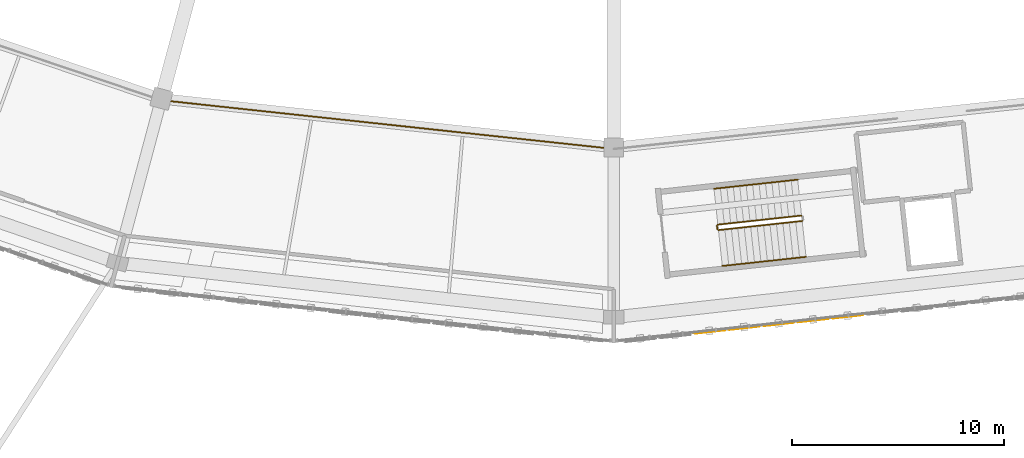
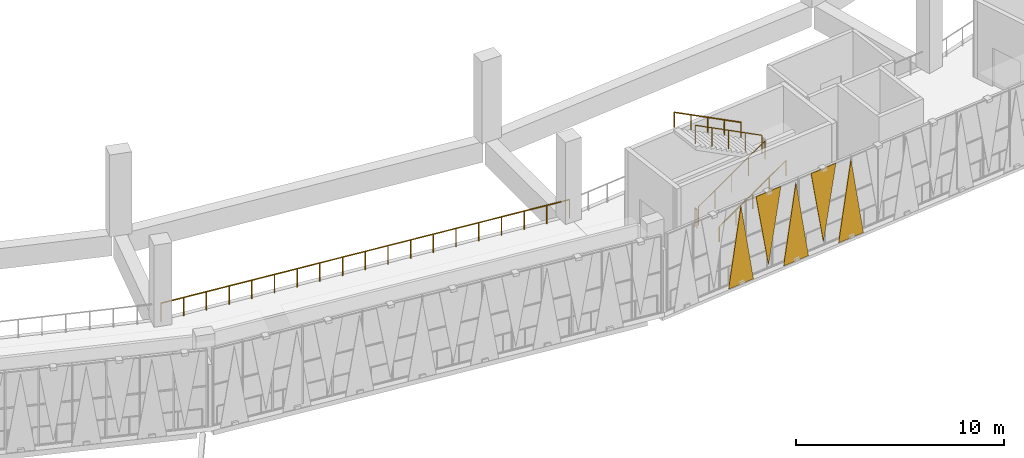
# One storey, part 86 of 108: 6 railings, 5 coverings.
"""IFC4 building model written with IfcOpenShell, lengths in metres."""

from ifc_helpers import new_model, si_unit, direction, frame, origin, origin_2d, place, context, subcontext, project, spatial, polyline, circle, outline, extrude, material, layer, layer_set, type_object, element, save


model = new_model("IFC4")

# Units and contexts
model_context = context("Model", 3, precision=1e-05, world=origin(), true_north=direction((0.0, 1.0)))
body_context = subcontext(model_context, "Body", "Model", "MODEL_VIEW")
ifc_project = project(units=[si_unit("LENGTHUNIT", "METRE"), si_unit("AREAUNIT", "SQUARE_METRE"), si_unit("VOLUMEUNIT", "CUBIC_METRE"), si_unit("PLANEANGLEUNIT", "RADIAN"), si_unit("MASSUNIT", "GRAM", prefix="KILO")], contexts=[model_context])

# Site, building, storey
site_placement = place(None, origin())
site = spatial("IfcSite", under=ifc_project, at=site_placement, CompositionType="ELEMENT")
building_placement = place(site_placement, origin())
building = spatial("IfcBuilding", under=site, at=building_placement, Name="Zevraka Park Crest Stadium", CompositionType="ELEMENT")
storey_placement = place(building_placement, frame((0.0, 0.0, 19.800048828125)))
storey = spatial("IfcBuildingStorey", under=building, at=storey_placement, Name="L04", CompositionType="ELEMENT", Elevation=19.800048828125)

# Coverings
ifc_material_1 = material(Name="Architectural golden-bronze perforated aluminium", Category="aluminium")
ifc_layer = layer(ifc_material_1, 0.034912109375)
ifc_layer_set = layer_set([ifc_layer], Name="Architectural golden-bronze perforated aluminium")
covering_type = type_object("IfcCoveringType", Name="CLD01", PredefinedType="CLADDING", material=ifc_layer_set)
covering_1_placement = place(storey_placement, frame((115.781982421875, 15.916015625, -0.219970703125), z_axis=(0.109524916909, -0.993984049839, 3.5251314e-05), x_axis=(0.993984050456, 0.109524916977, 0.0)))
element("IfcCovering", 1, at=covering_1_placement, inside=storey, type_object=covering_type, Name="Triangular Golden-Bronze Perforated Cladding L04-18-3", PredefinedType="CLADDING", context=body_context, shape_type="SweptSolid", body=[
    extrude(outline(polyline([(0.0, 0.0), (1.477885022351149, 0.0), (0.7385918730854389, 4.579833987220578), (0.0, 0.0)])), origin(), (0.0, 0.0, -1.0), 0.034912109375),
])
covering_2_placement = place(storey_placement, frame((118.8779296875, 16.257080078125, 4.52001953125), z_axis=(0.10910690333, -0.994030014736, 0.000115971923), x_axis=(-0.994030021421, -0.109106904064, 0.0)))
element("IfcCovering", 2, at=covering_2_placement, inside=storey, type_object=covering_type, Name="Triangular Golden-Bronze Perforated Cladding L04-18-4", PredefinedType="CLADDING", context=body_context, shape_type="SweptSolid", body=[
    extrude(outline(polyline([(0.0, 0.0), (1.4768342469445075, -3.3881317890172014e-21), (0.7383490567724047, 4.300048857041725), (0.0, 0.0)])), origin(), (0.0, 0.0, -1.0), 0.034912109375),
])
covering_3_placement = place(storey_placement, frame((119.0380859375, 16.27490234375, -0.219970703125), z_axis=(0.109106903417, -0.994030015528, 0.00010888712), x_axis=(0.994030021421, 0.109106904064, 0.0)))
element("IfcCovering", 3, at=covering_3_placement, inside=storey, type_object=covering_type, Name="Triangular Golden-Bronze Perforated Cladding L04-18-5", PredefinedType="CLADDING", context=body_context, shape_type="SweptSolid", body=[
    extrude(outline(polyline([(0.0, 0.0), (1.4768342469445075, 0.0), (0.7383490567724047, 4.579834011525183), (0.0, 0.0)])), origin(), (0.0, 0.0, -1.0), 0.034912109375),
])
covering_4_placement = place(storey_placement, frame((122.134033203125, 16.615966796875, 4.52001953125), z_axis=(0.109524916969, -0.993984050376, 1.2671307e-05), x_axis=(-0.993984050456, -0.109524916977, 0.0)))
element("IfcCovering", 4, at=covering_4_placement, inside=storey, type_object=covering_type, Name="Triangular Golden-Bronze Perforated Cladding L04-18-6", PredefinedType="CLADDING", context=body_context, shape_type="SweptSolid", body=[
    extrude(outline(polyline([(0.0, 0.0), (1.477885022351149, 0.0), (0.7395625606347125, 4.300048828470214), (0.0, 0.0)])), origin(), (0.0, 0.0, -1.0), 0.034912109375),
])
covering_5_placement = place(storey_placement, frame((122.29296875, 16.633056640625, -0.219970703125), z_axis=(0.109596900843, -0.993976115794, 2.3572131e-05), x_axis=(0.993976116071, 0.109596900874, 0.0)))
element("IfcCovering", 5, at=covering_5_placement, inside=storey, type_object=covering_type, Name="Triangular Golden-Bronze Perforated Cladding L04-18-7", PredefinedType="CLADDING", context=body_context, shape_type="SweptSolid", body=[
    extrude(outline(polyline([(0.0, 0.0), (1.4769143386748145, 0.0), (0.7385918828404522, 4.579833985647383), (0.0, 0.0)])), origin(), (0.0, 0.0, -1.0), 0.034912109375),
])

# Railings
ifc_material_2 = material(Name="Galvanised and bronze-finished steel balustrade", Category="steel")
railing_type_1 = type_object("IfcRailingType", Name="GR01", PredefinedType="GUARDRAIL", material=ifc_material_2)
railing_1_placement = place(storey_placement, frame((90.679931640625, 26.926025390625, 0.0)))
element("IfcRailing", 6, at=railing_1_placement, inside=storey, type_object=railing_type_1, Name="Deck Edge Protection Guardrail GR01 L04-27", PredefinedType="GUARDRAIL", context=body_context, shape_type="SweptSolid", body=[
    extrude(circle(Radius=0.02392578125, at=origin_2d()), frame((0.0, 0.0, 1.076171875), z_axis=(0.994248379659, -0.107098830739, 0.0), x_axis=(0.107098830739, 0.994248379659, 0.0)), (0.0, 0.0, 1.0), 21.439453125),
    extrude(circle(Radius=0.02099609375, at=origin_2d()), origin(), (0.0, 0.0, 1.0), 1.052001953125),
    extrude(circle(Radius=0.02099609375, at=origin_2d()), frame((1.184326171875, -0.12744140625, 0.0)), (0.0, 0.0, 1.0), 1.052001953125),
    extrude(circle(Radius=0.02099609375, at=origin_2d()), frame((2.368408203125, -0.255126953125, 0.0)), (0.0, 0.0, 1.0), 1.052001953125),
    extrude(circle(Radius=0.02099609375, at=origin_2d()), frame((3.552734375, -0.3828125, 0.0)), (0.0, 0.0, 1.0), 1.052001953125),
    extrude(circle(Radius=0.02099609375, at=origin_2d()), frame((4.73681640625, -0.51025390625, 0.0)), (0.0, 0.0, 1.0), 1.052001953125),
    extrude(circle(Radius=0.02099609375, at=origin_2d()), frame((5.921142578125, -0.6376953125, 0.0)), (0.0, 0.0, 1.0), 1.052001953125),
    extrude(circle(Radius=0.02099609375, at=origin_2d()), frame((7.10546875, -0.765380859375, 0.0)), (0.0, 0.0, 1.0), 1.052001953125),
    extrude(circle(Radius=0.02099609375, at=origin_2d()), frame((8.28955078125, -0.89306640625, 0.0)), (0.0, 0.0, 1.0), 1.052001953125),
    extrude(circle(Radius=0.02099609375, at=origin_2d()), frame((9.473876953125, -1.0205078125, 0.0)), (0.0, 0.0, 1.0), 1.052001953125),
    extrude(circle(Radius=0.02099609375, at=origin_2d()), frame((10.658203125, -1.14794921875, 0.0)), (0.0, 0.0, 1.0), 1.052001953125),
    extrude(circle(Radius=0.02099609375, at=origin_2d()), frame((11.84228515625, -1.275634765625, 0.0)), (0.0, 0.0, 1.0), 1.052001953125),
    extrude(circle(Radius=0.02099609375, at=origin_2d()), frame((13.026611328125, -1.4033203125, 0.0)), (0.0, 0.0, 1.0), 1.052001953125),
    extrude(circle(Radius=0.02099609375, at=origin_2d()), frame((14.210693359375, -1.53076171875, 0.0)), (0.0, 0.0, 1.0), 1.052001953125),
    extrude(circle(Radius=0.02099609375, at=origin_2d()), frame((15.39501953125, -1.658203125, 0.0)), (0.0, 0.0, 1.0), 1.052001953125),
    extrude(circle(Radius=0.02099609375, at=origin_2d()), frame((16.579345703125, -1.785888671875, 0.0)), (0.0, 0.0, 1.0), 1.052001953125),
    extrude(circle(Radius=0.02099609375, at=origin_2d()), frame((17.763427734375, -1.91357421875, 0.0)), (0.0, 0.0, 1.0), 1.052001953125),
    extrude(circle(Radius=0.02099609375, at=origin_2d()), frame((18.94775390625, -2.041015625, 0.0)), (0.0, 0.0, 1.0), 1.052001953125),
    extrude(circle(Radius=0.02099609375, at=origin_2d()), frame((20.1318359375, -2.16845703125, 0.0)), (0.0, 0.0, 1.0), 1.052001953125),
    extrude(circle(Radius=0.02099609375, at=origin_2d()), frame((21.316162109375, -2.296142578125, 0.0)), (0.0, 0.0, 1.0), 1.052001953125),
])
ifc_material_3 = material(Name="Powder-coated tubular steel stairwell guard", Category="steel")
railing_type_2 = type_object("IfcRailingType", Name="GR03", PredefinedType="GUARDRAIL", material=ifc_material_3)
railing_2_placement = place(storey_placement, frame((116.932861328125, 20.80615234375, 0.17138671875)))
element("IfcRailing", 7, at=railing_2_placement, inside=storey, type_object=railing_type_2, Name="L04 ST19 stair guard 1", PredefinedType="GUARDRAIL", context=body_context, shape_type="SweptSolid", body=[
    extrude(circle(Radius=0.02392578125, at=origin_2d()), frame((0.0, 0.0, 1.076171875), z_axis=(0.866632504116, 0.094360209478, 0.489943112695), x_axis=(-0.108241734952, 0.994124603264, 0.0)), (0.0, 0.0, 1.0), 4.548583984375),
    extrude(circle(Radius=0.02099609375, at=origin_2d()), origin(), (0.0, 0.0, 1.0), 1.052001953125),
    extrude(circle(Radius=0.02099609375, at=origin_2d()), frame((0.9853515625, 0.107421875, 0.55712890625)), (0.0, 0.0, 1.0), 1.052001953125),
    extrude(circle(Radius=0.02099609375, at=origin_2d()), frame((1.970947265625, 0.214599609375, 1.1142578125)), (0.0, 0.0, 1.0), 1.052001953125),
    extrude(circle(Radius=0.02099609375, at=origin_2d()), frame((2.95654296875, 0.32177734375, 1.67138671875)), (0.0, 0.0, 1.0), 1.052001953125),
    extrude(circle(Radius=0.02099609375, at=origin_2d()), frame((3.94189453125, 0.42919921875, 2.228515625)), (0.0, 0.0, 1.0), 1.052001953125),
])
railing_3_placement = place(storey_placement, frame((120.846435546875, 21.493896484375, 2.5712890625)))
element("IfcRailing", 8, at=railing_3_placement, inside=storey, type_object=railing_type_2, Name="L04 ST19 stair guard 3", PredefinedType="GUARDRAIL", context=body_context, shape_type="SweptSolid", body=[
    extrude(circle(Radius=0.02392578125, at=origin_2d()), frame((0.0, 0.0, 1.076171875), z_axis=(-0.866596348506, -0.094362117106, 0.490006693435), x_axis=(0.108248360745, -0.994123881816, 0.0)), (0.0, 0.0, 1.0), 4.54833984375),
    extrude(circle(Radius=0.02099609375, at=origin_2d()), origin(), (0.0, 0.0, 1.0), 1.052001953125),
    extrude(circle(Radius=0.02099609375, at=origin_2d()), frame((-0.9853515625, -0.107421875, 0.55712890625)), (0.0, 0.0, 1.0), 1.052001953125),
    extrude(circle(Radius=0.02099609375, at=origin_2d()), frame((-1.970703125, -0.214599609375, 1.1142578125)), (0.0, 0.0, 1.0), 1.052001953125),
    extrude(circle(Radius=0.02099609375, at=origin_2d()), frame((-2.956298828125, -0.32177734375, 1.671630859375)), (0.0, 0.0, 1.0), 1.052001953125),
    extrude(circle(Radius=0.02099609375, at=origin_2d()), frame((-3.941650390625, -0.42919921875, 2.228759765625)), (0.0, 0.0, 1.0), 1.052001953125),
])
railing_4_placement = place(storey_placement, frame((116.8779296875, 20.8505859375, 0.0)))
element("IfcRailing", 9, at=railing_4_placement, inside=storey, type_object=railing_type_2, Name="L04 ST19 stair guard 4", PredefinedType="GUARDRAIL", context=body_context, shape_type="SweptSolid", body=[
    extrude(circle(Radius=0.02392578125, at=origin_2d()), frame((0.0, 0.0, 1.076171875), z_axis=(-0.108420072245, 0.994105169454, 0.0), x_axis=(-0.994105169454, -0.108420072245, 0.0)), (0.0, 0.0, 1.0), 0.159912109375),
    extrude(circle(Radius=0.02099609375, at=origin_2d()), origin(), (0.0, 0.0, 1.0), 1.052001953125),
    extrude(circle(Radius=0.02099609375, at=origin_2d()), frame((-0.017333984375, 0.158935546875, 0.0)), (0.0, 0.0, 1.0), 1.052001953125),
])
ifc_material_4 = material(Name="Brushed stainless steel continuous handrail", Category="steel")
railing_type_3 = type_object("IfcRailingType", Name="HR01", PredefinedType="HANDRAIL", material=ifc_material_4)
railing_5_placement = place(storey_placement, frame((117.116943359375, 19.1162109375, 0.17138671875)))
element("IfcRailing", 10, at=railing_5_placement, inside=storey, type_object=railing_type_3, Name="L04 ST19 stair handrail 1", PredefinedType="HANDRAIL", context=body_context, shape_type="SweptSolid", body=[
    extrude(circle(Radius=0.02392578125, at=origin_2d()), frame((0.0, 0.0, 0.8759765625), z_axis=(0.866619140956, 0.094364598935, 0.489965903911), x_axis=(-0.108248360745, 0.994123881816, 0.0)), (0.0, 0.0, 1.0), 4.54833984375),
    extrude(circle(Radius=0.02099609375, at=origin_2d()), origin(), (0.0, 0.0, 1.0), 0.851806640625),
    extrude(circle(Radius=0.02099609375, at=origin_2d()), frame((0.9853515625, 0.107421875, 0.55712890625)), (0.0, 0.0, 1.0), 0.851806640625),
    extrude(circle(Radius=0.02099609375, at=origin_2d()), frame((1.970703125, 0.214599609375, 1.1142578125)), (0.0, 0.0, 1.0), 0.851806640625),
    extrude(circle(Radius=0.02099609375, at=origin_2d()), frame((2.956298828125, 0.32177734375, 1.67138671875)), (0.0, 0.0, 1.0), 0.851806640625),
    extrude(circle(Radius=0.02099609375, at=origin_2d()), frame((3.941650390625, 0.42919921875, 2.228515625)), (0.0, 0.0, 1.0), 0.851806640625),
])
railing_6_placement = place(storey_placement, frame((120.66259765625, 23.183837890625, 2.5712890625)))
element("IfcRailing", 11, at=railing_6_placement, inside=storey, type_object=railing_type_3, Name="L04 ST19 stair handrail 2", PredefinedType="HANDRAIL", context=body_context, shape_type="SweptSolid", body=[
    extrude(circle(Radius=0.02392578125, at=origin_2d()), frame((0.0, 0.0, 0.8759765625), z_axis=(-0.866596348506, -0.094362117106, 0.490006693435), x_axis=(0.108248360745, -0.994123881816, 0.0)), (0.0, 0.0, 1.0), 4.54833984375),
    extrude(circle(Radius=0.02099609375, at=origin_2d()), origin(), (0.0, 0.0, 1.0), 0.851806640625),
    extrude(circle(Radius=0.02099609375, at=origin_2d()), frame((-0.9853515625, -0.107421875, 0.55712890625)), (0.0, 0.0, 1.0), 0.851806640625),
    extrude(circle(Radius=0.02099609375, at=origin_2d()), frame((-1.970703125, -0.214599609375, 1.1142578125)), (0.0, 0.0, 1.0), 0.851806640625),
    extrude(circle(Radius=0.02099609375, at=origin_2d()), frame((-2.956298828125, -0.32177734375, 1.671630859375)), (0.0, 0.0, 1.0), 0.851806640625),
    extrude(circle(Radius=0.02099609375, at=origin_2d()), frame((-3.941650390625, -0.42919921875, 2.228759765625)), (0.0, 0.0, 1.0), 0.851806640625),
])

save(model, "model.ifc")
